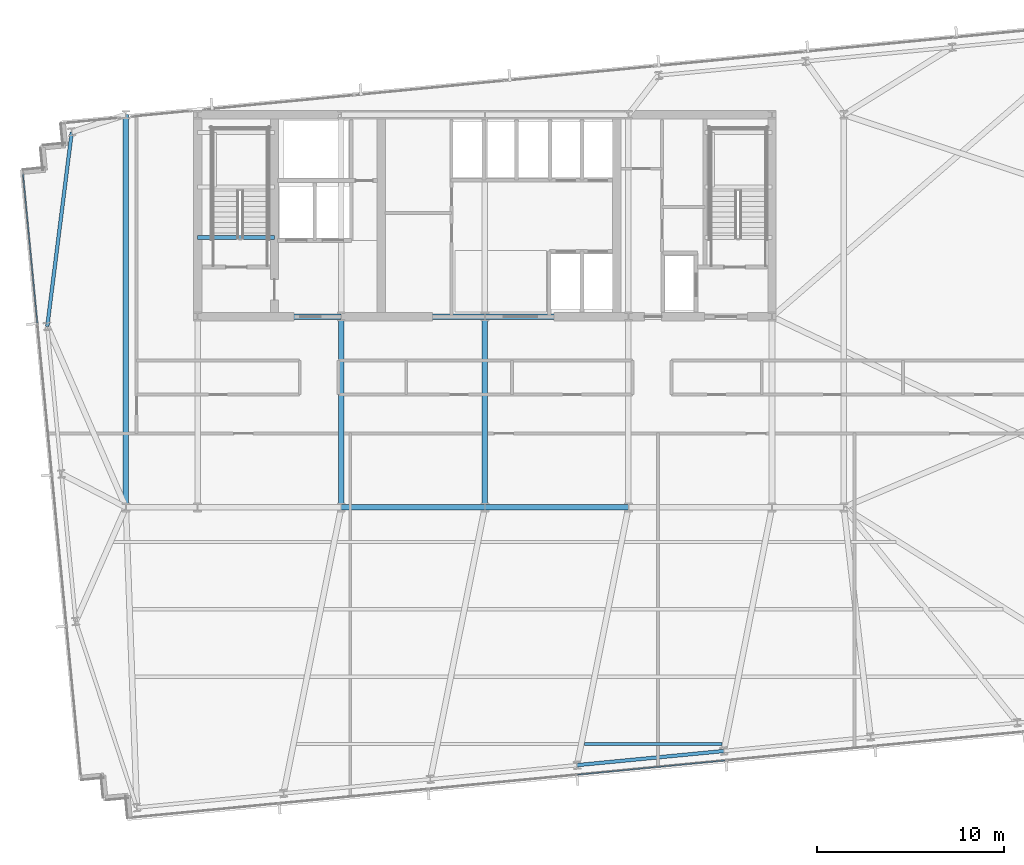
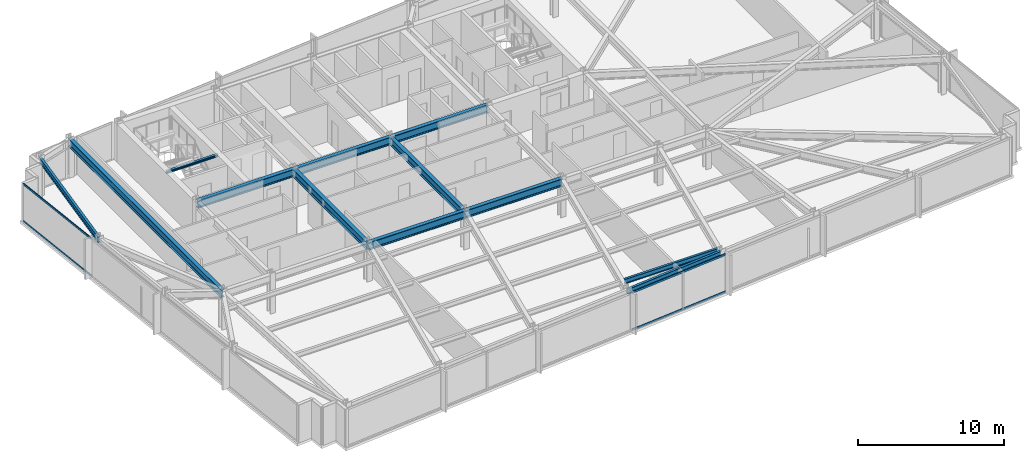
# One storey, part 9 of 32: 12 beams, 4 members, 2 elements without a shape of their own.
"""IFC4 building model written with IfcOpenShell, lengths in metres."""

from ifc_helpers import new_model, si_unit, direction, frame, origin, origin_2d, place, context, subcontext, project, spatial, hollow_rectangle, i_section, extrude, material, material_profile, profile_set, type_object, element, aggregate, save


model = new_model("IFC4")

# Units and contexts
model_context = context("Model", 3, precision=1e-05, world=origin(), true_north=direction((0.0, 1.0)))
body_context = subcontext(model_context, "Body", "Model", "MODEL_VIEW")
ifc_project = project(units=[si_unit("LENGTHUNIT", "METRE"), si_unit("AREAUNIT", "SQUARE_METRE"), si_unit("VOLUMEUNIT", "CUBIC_METRE"), si_unit("PLANEANGLEUNIT", "RADIAN"), si_unit("MASSUNIT", "GRAM", prefix="KILO")], contexts=[model_context])

# Site, building, storey
site_placement = place(None, origin())
site = spatial("IfcSite", under=ifc_project, at=site_placement, CompositionType="ELEMENT")
building_placement = place(site_placement, origin())
building = spatial("IfcBuilding", under=site, at=building_placement, Name="Yelkora Congress Tower", CompositionType="ELEMENT")
storey_placement = place(building_placement, frame((0.0, 0.0, 113.5)))
storey = spatial("IfcBuildingStorey", under=building, at=storey_placement, Name="L30", CompositionType="ELEMENT", Elevation=113.5)

# Beams
ifc_material_1 = material(Name="Steel S355J2", Category="steel")
ifc_material_profile_1 = material_profile(ifc_material_1, i_section(OverallWidth=0.300048828125, OverallDepth=0.64990234375, WebThickness=0.01611328125, FlangeThickness=0.031005859375, FilletRadius=0.027099609375, at=origin_2d()), Name="HEB 650")
ifc_profile_set_1 = profile_set([ifc_material_profile_1], Name="Steel S355J2")
beam_type_1 = type_object("IfcBeamType", Name="BM-GIRD-HEB650", PredefinedType="BEAM", material=ifc_profile_set_1)
beam_1_placement = place(storey_placement, frame((30.719970703125, 25.199951171875, 2.85498046875), z_axis=(1.0, 0.0, 0.0), x_axis=(0.0, 1.0, 0.0)))
element("IfcBeam", 1, at=beam_1_placement, inside=storey, type_object=beam_type_1, Name="L30 Spine Grid D Girder 3", PredefinedType="BEAM", context=body_context, shape_type="SweptSolid", body=[
    extrude(i_section(OverallWidth=0.300048828125, OverallDepth=0.64990234375, WebThickness=0.01611328125, FlangeThickness=0.031005859375, FilletRadius=0.027099609375, at=origin_2d()), origin(), (0.0, 0.0, 1.0), 7.679931640625),
])
beam_2_placement = place(storey_placement, frame((38.39990234375, 25.199951171875, 2.85498046875), z_axis=(1.0, 0.0, 0.0), x_axis=(0.0, 1.0, 0.0)))
element("IfcBeam", 2, at=beam_2_placement, inside=storey, type_object=beam_type_1, Name="L30 Spine Grid D Girder 4", PredefinedType="BEAM", context=body_context, shape_type="SweptSolid", body=[
    extrude(i_section(OverallWidth=0.300048828125, OverallDepth=0.64990234375, WebThickness=0.01611328125, FlangeThickness=0.031005859375, FilletRadius=0.027099609375, at=origin_2d()), origin(), (0.0, 0.0, 1.0), 7.68017578125),
])
for number, where, z_axis, x_axis, name in (
    (3, (23.0400390625, 35.39990234375, 2.85498046875), (1.0, 0.0, 0.0), (0.0, 1.0, 0.0), "L30 Core South Girder 1"),
    (4, (30.719970703125, 35.39990234375, 2.85498046875), (1.0, 0.0, 0.0), (0.0, 1.0, 0.0), "L30 Core South Girder 2"),
):
    element("IfcBeam", number, at=place(storey_placement, frame(where, z_axis=z_axis, x_axis=x_axis)), inside=storey, type_object=beam_type_1, Name=name, PredefinedType="BEAM", context=body_context, shape_type="SweptSolid", body=[
        extrude(i_section(OverallWidth=0.300048828125, OverallDepth=0.64990234375, WebThickness=0.01611328125, FlangeThickness=0.031005859375, FilletRadius=0.027099609375, at=origin_2d()), origin(), (0.0, 0.0, 1.0), 7.679931640625),
    ])
beam_3_placement = place(storey_placement, frame((38.39990234375, 35.39990234375, 2.85498046875), z_axis=(1.0, 0.0, 0.0), x_axis=(0.0, 1.0, 0.0)))
element("IfcBeam", 5, at=beam_3_placement, inside=storey, type_object=beam_type_1, Name="L30 Core South Girder 3", PredefinedType="BEAM", context=body_context, shape_type="SweptSolid", body=[
    extrude(i_section(OverallWidth=0.300048828125, OverallDepth=0.64990234375, WebThickness=0.01611328125, FlangeThickness=0.031005859375, FilletRadius=0.027099609375, at=origin_2d()), origin(), (0.0, 0.0, 1.0), 7.68017578125),
])
for number, where, z_axis, x_axis, name in (
    (6, (30.719970703125, 25.199951171875, 2.85498046875), (0.0, 1.0, 0.0), (-1.0, 0.0, 0.0), "L30 Core Tie Girder MC-D2"),
    (7, (38.39990234375, 25.199951171875, 2.85498046875), (0.0, 1.0, 0.0), (-1.0, 0.0, 0.0), "L30 Core Tie Girder MC-D3"),
):
    element("IfcBeam", number, at=place(storey_placement, frame(where, z_axis=z_axis, x_axis=x_axis)), inside=storey, type_object=beam_type_1, Name=name, PredefinedType="BEAM", context=body_context, shape_type="SweptSolid", body=[
        extrude(i_section(OverallWidth=0.300048828125, OverallDepth=0.64990234375, WebThickness=0.01611328125, FlangeThickness=0.031005859375, FilletRadius=0.027099609375, at=origin_2d()), origin(), (0.0, 0.0, 1.0), 10.199951171875),
    ])
beam_4_placement = place(storey_placement, frame((19.199951171875, 25.199951171875, 2.85498046875), z_axis=(0.0, 1.0, 0.0), x_axis=(-1.0, 0.0, 0.0)))
element("IfcBeam", 8, at=beam_4_placement, inside=storey, type_object=beam_type_1, Name="L30 Neck Flank Girder MC-F1", PredefinedType="BEAM", context=body_context, shape_type="SweptSolid", body=[
    extrude(i_section(OverallWidth=0.300048828125, OverallDepth=0.64990234375, WebThickness=0.01611328125, FlangeThickness=0.031005859375, FilletRadius=0.027099609375, at=origin_2d()), origin(), (0.0, 0.0, 1.0), 21.0),
])
ifc_material_profile_2 = material_profile(ifc_material_1, i_section(OverallWidth=0.179931640625, OverallDepth=0.39990234375, WebThickness=0.008544921875, FlangeThickness=0.013427734375, FilletRadius=0.02099609375, at=origin_2d()), Name="IPE 400")
ifc_profile_set_2 = profile_set([ifc_material_profile_2], Name="Steel S355J2")
beam_type_2 = type_object("IfcBeamType", Name="BM-JOIST-IPE400", PredefinedType="JOIST", material=ifc_profile_set_2)
beam_5_placement = place(storey_placement, frame((43.7197265625, 12.54443359375, 2.97998046875), z_axis=(1.0, 0.0, 0.0), x_axis=(0.0, 1.0, 0.0)))
element("IfcBeam", 9, at=beam_5_placement, inside=storey, type_object=beam_type_2, Name="L30 Composite Floor Joist 3", PredefinedType="JOIST", context=body_context, shape_type="SweptSolid", body=[
    extrude(i_section(OverallWidth=0.179931640625, OverallDepth=0.39990234375, WebThickness=0.008544921875, FlangeThickness=0.013427734375, FilletRadius=0.02099609375, at=origin_2d()), origin(), (0.0, 0.0, 1.0), 7.37841796875),
])
ifc_material_profile_3 = material_profile(ifc_material_1, i_section(OverallWidth=0.199951171875, OverallDepth=0.18994140625, WebThickness=0.006591796875, FlangeThickness=0.010009765625, FilletRadius=0.01806640625, at=origin_2d()), Name="HEA 200")
ifc_profile_set_3 = profile_set([ifc_material_profile_3], Name="Steel S355J2")
beam_type_3 = type_object("IfcBeamType", Name="BM-LAND-HEA200", PredefinedType="BEAM", material=ifc_profile_set_3)
beam_6_placement = place(storey_placement, frame((23.0400390625, 39.639892578125, 2.947509765625), z_axis=(1.0, 0.0, 0.0), x_axis=(0.0, 1.0, 0.0)))
element("IfcBeam", 10, at=beam_6_placement, inside=storey, type_object=beam_type_3, Name="ST-01 L30 Floor Arrival Stringer Header Beam", PredefinedType="BEAM", context=body_context, shape_type="SweptSolid", body=[
    extrude(i_section(OverallWidth=0.199951171875, OverallDepth=0.18994140625, WebThickness=0.006591796875, FlangeThickness=0.010009765625, FilletRadius=0.01806640625, at=origin_2d()), origin(), (0.0, 0.0, 1.0), 4.10986328125),
])
ifc_material_profile_4 = material_profile(ifc_material_1, i_section(OverallWidth=0.18994140625, OverallDepth=0.449951171875, WebThickness=0.009521484375, FlangeThickness=0.0146484375, FilletRadius=0.02099609375, at=origin_2d()), Name="IPE 450")
ifc_profile_set_4 = profile_set([ifc_material_profile_4], Name="Steel S355J2")
beam_type_4 = type_object("IfcBeamType", Name="BM-SPAN-IPE450", PredefinedType="SPANDREL", material=ifc_profile_set_4)
beam_7_placement = place(storey_placement, frame((43.334228515625, 11.411865234375, 2.955078125), z_axis=(0.995398529126, 0.09582154358, 0.0), x_axis=(-0.09582154358, 0.995398529126, 0.0)))
element("IfcBeam", 11, at=beam_7_placement, inside=storey, type_object=beam_type_4, Name="L30 Perimeter Beam 6", PredefinedType="SPANDREL", context=body_context, shape_type="SweptSolid", body=[
    extrude(i_section(OverallWidth=0.18994140625, OverallDepth=0.449951171875, WebThickness=0.009521484375, FlangeThickness=0.0146484375, FilletRadius=0.02099609375, at=origin_2d()), origin(), (0.0, 0.0, 1.0), 7.8857421875),
])
beam_8_placement = place(storey_placement, frame((16.306884765625, 45.27734375, 2.955078125), z_axis=(-0.124952129665, -0.992162771571, 0.0), x_axis=(0.992162771571, -0.124952129665, 0.0)))
element("IfcBeam", 12, at=beam_8_placement, inside=storey, type_object=beam_type_4, Name="L30 Perimeter Beam 18", PredefinedType="SPANDREL", context=body_context, shape_type="SweptSolid", body=[
    extrude(i_section(OverallWidth=0.18994140625, OverallDepth=0.449951171875, WebThickness=0.009521484375, FlangeThickness=0.0146484375, FilletRadius=0.02099609375, at=origin_2d()), origin(), (0.0, 0.0, 1.0), 10.48046875),
])

# Curtain wall, members
ifc_material_2 = material(Name="Anodised aluminium and insulated glass", Category="aluminium")
curtain_wall_type = type_object("IfcCurtainWallType", Name="CW-SYS-B2", PredefinedType="NOTDEFINED", material=ifc_material_2)
curtain_wall_1_placement = place(storey_placement, origin())
curtain_wall_1 = element("IfcCurtainWall", 13, at=curtain_wall_1_placement, inside=storey, type_object=curtain_wall_type, Name="L30 Unitised Curtain Wall 5", PredefinedType="NOTDEFINED")
ifc_material_3 = material(Name="Anodised aluminium 6063-T6", Category="aluminium")
ifc_material_profile_5 = material_profile(ifc_material_3, hollow_rectangle(XDim=0.06494140625, YDim=0.159912109375, WallThickness=0.00390625, at=origin_2d()), Name="ALU 65x160x4")
ifc_profile_set_5 = profile_set([ifc_material_profile_5], Name="Anodised aluminium 6063-T6")
member_type = type_object("IfcMemberType", Name="MEM-TR-B2", PredefinedType="USERDEFINED", material=ifc_profile_set_5)
member_1_placement = place(storey_placement, frame((14.466796875, 35.06884765625, 0.032470703125), z_axis=(-0.095858482834, 0.995394972495, 0.0), x_axis=(-0.995394972495, -0.095858482834, 0.0)))
member_1 = element("IfcMember", 14, at=member_1_placement, type_object=member_type, Name="CW-B2 transom 4.1", ObjectType="TRANSOM", PredefinedType="USERDEFINED", context=body_context, shape_type="SweptSolid", body=[
    extrude(hollow_rectangle(XDim=0.06494140625, YDim=0.159912109375, WallThickness=0.00390625, at=origin_2d()), origin(), (0.0, 0.0, 1.0), 8.025146484375),
])
member_2_placement = place(storey_placement, frame((14.466796875, 35.06884765625, 3.1474609375), z_axis=(-0.095858482834, 0.995394972495, 0.0), x_axis=(-0.995394972495, -0.095858482834, 0.0)))
member_2 = element("IfcMember", 15, at=member_2_placement, type_object=member_type, Name="CW-B2 transom 4.2", ObjectType="TRANSOM", PredefinedType="USERDEFINED", context=body_context, shape_type="SweptSolid", body=[
    extrude(hollow_rectangle(XDim=0.06494140625, YDim=0.159912109375, WallThickness=0.00390625, at=origin_2d()), origin(), (0.0, 0.0, 1.0), 8.025146484375),
])
aggregate(curtain_wall_1, [member_1, member_2])

curtain_wall_2_placement = place(storey_placement, origin())
curtain_wall_2 = element("IfcCurtainWall", 16, at=curtain_wall_2_placement, inside=storey, type_object=curtain_wall_type, Name="L30 Unitised Curtain Wall 20", PredefinedType="NOTDEFINED")
member_3_placement = place(storey_placement, frame((51.255859375, 11.662353515625, 0.032470703125), z_axis=(-0.995394074338, -0.095867808848, 0.0), x_axis=(0.095867808848, -0.995394074338, 0.0)))
member_3 = element("IfcMember", 17, at=member_3_placement, type_object=member_type, Name="CW-B2 transom 4.1", ObjectType="TRANSOM", PredefinedType="USERDEFINED", context=body_context, shape_type="SweptSolid", body=[
    extrude(hollow_rectangle(XDim=0.06494140625, YDim=0.159912109375, WallThickness=0.00390625, at=origin_2d()), origin(), (0.0, 0.0, 1.0), 7.932861328125),
])
member_4_placement = place(storey_placement, frame((51.255859375, 11.662353515625, 3.1474609375), z_axis=(-0.995394074338, -0.095867808848, 0.0), x_axis=(0.095867808848, -0.995394074338, 0.0)))
member_4 = element("IfcMember", 18, at=member_4_placement, type_object=member_type, Name="CW-B2 transom 4.2", ObjectType="TRANSOM", PredefinedType="USERDEFINED", context=body_context, shape_type="SweptSolid", body=[
    extrude(hollow_rectangle(XDim=0.06494140625, YDim=0.159912109375, WallThickness=0.00390625, at=origin_2d()), origin(), (0.0, 0.0, 1.0), 7.932861328125),
])
aggregate(curtain_wall_2, [member_3, member_4])

save(model, "model.ifc")
